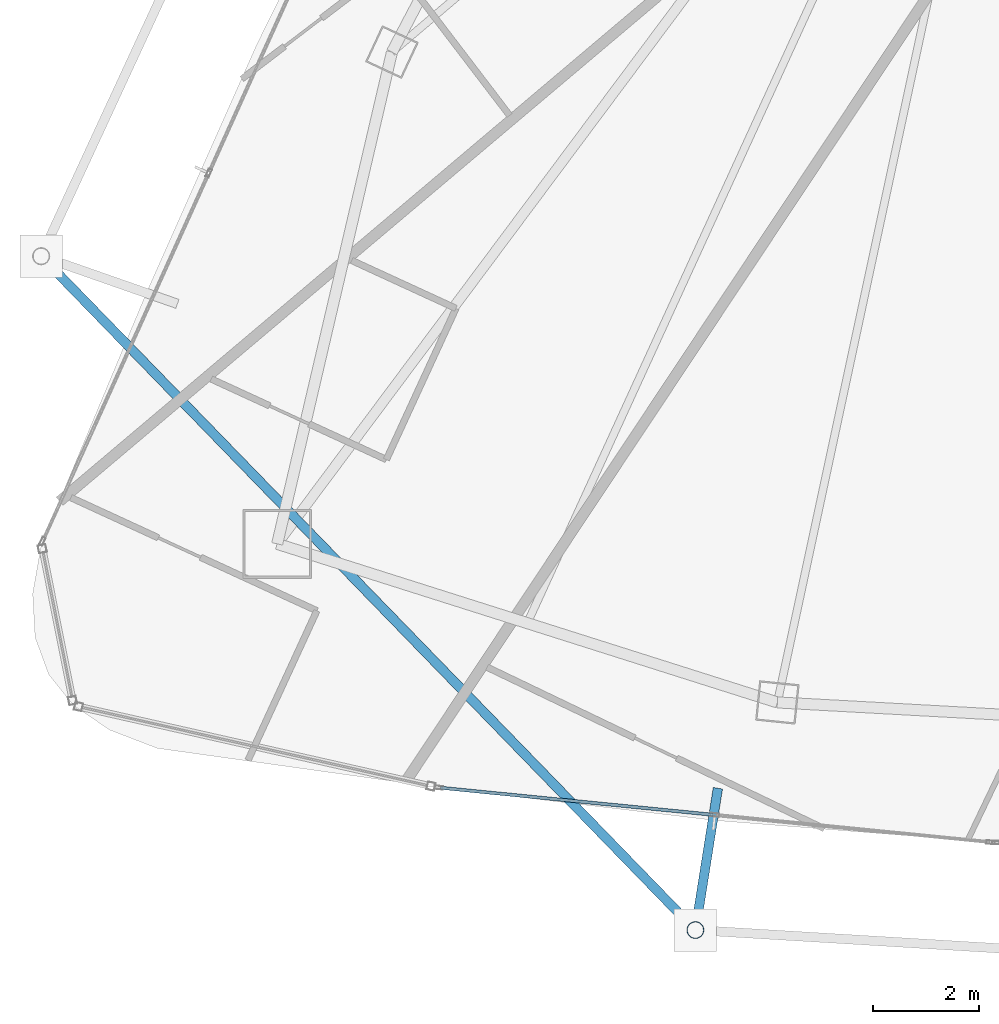
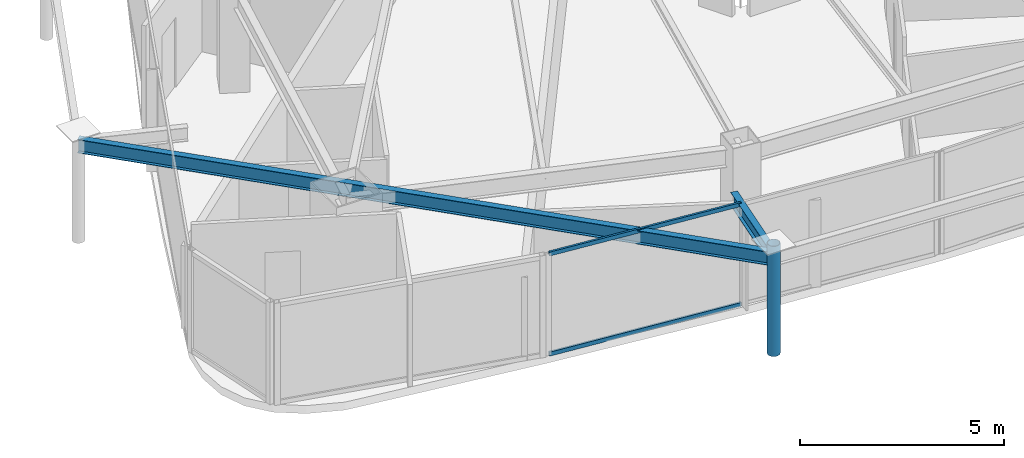
# One storey, part 3 of 33: 3 members, 2 beams, 1 element without a shape of its own.
"""IFC4 building model written with IfcOpenShell, lengths in metres."""

from ifc_helpers import new_model, si_unit, direction, frame, origin, origin_2d, place, context, subcontext, project, spatial, hollow_rectangle, hollow_circle, i_section, extrude, material, layer, layer_set, material_profile, profile_set, type_object, element, aggregate, save


model = new_model("IFC4")

# Units and contexts
model_context = context("Model", 3, precision=1e-05, world=origin(), true_north=direction((0.0, 1.0)))
body_context = subcontext(model_context, "Body", "Model", "MODEL_VIEW")
ifc_project = project(units=[si_unit("LENGTHUNIT", "METRE"), si_unit("AREAUNIT", "SQUARE_METRE"), si_unit("VOLUMEUNIT", "CUBIC_METRE"), si_unit("PLANEANGLEUNIT", "RADIAN"), si_unit("MASSUNIT", "GRAM", prefix="KILO")], contexts=[model_context])

# Site, building, storey
site_placement = place(None, origin())
site = spatial("IfcSite", under=ifc_project, at=site_placement, CompositionType="ELEMENT")
building_placement = place(site_placement, origin())
building = spatial("IfcBuilding", under=site, at=building_placement, Name="Orvanel Arch Residences", CompositionType="ELEMENT")
storey_placement = place(building_placement, frame((0.0, 0.0, 212.89990234375)))
storey = spatial("IfcBuildingStorey", under=building, at=storey_placement, Name="L60", CompositionType="ELEMENT", Elevation=212.89990234375)

# Beams
ifc_material_1 = material(Name="Structural steel AS/NZS 3679.1 Grade 300 (300 MPa)", Category="steel")
ifc_material_profile_1 = material_profile(ifc_material_1, i_section(OverallWidth=0.177978515625, OverallDepth=0.406005859375, WebThickness=0.0078125, FlangeThickness=0.0126953125, at=origin_2d()), Name="410UB59.7")
ifc_profile_set_1 = profile_set([ifc_material_profile_1], Name="Structural steel AS/NZS 3679.1 Grade 300 (300 MPa)")
beam_type = type_object("IfcBeamType", Name="OB-410UB-EXT", PredefinedType="SPANDREL", material=ifc_profile_set_1)
beam_1_placement = place(storey_placement, frame((9.739990234375, 15.784912109375, 2.857177734375), z_axis=(0.696579558645, -0.717479559624, 0.0), x_axis=(0.717479559624, 0.696579558645, 0.0)))
element("IfcBeam", 1, at=beam_1_placement, inside=storey, type_object=beam_type, Name="L60 Outer Perimeter Floor Ring Beam 04", PredefinedType="SPANDREL", context=body_context, shape_type="SweptSolid", body=[
    extrude(i_section(OverallWidth=0.177978515625, OverallDepth=0.406005859375, WebThickness=0.0078125, FlangeThickness=0.0126953125, at=origin_2d()), origin(), (0.0, 0.0, 1.0), 17.743896484375),
])
beam_2_placement = place(storey_placement, frame((22.52490234375, 5.73388671875, 2.857177734375), z_axis=(-0.156558576566, -0.987668675267, 0.0), x_axis=(0.987668675267, -0.156558576566, 0.0)))
element("IfcBeam", 2, at=beam_2_placement, inside=storey, type_object=beam_type, Name="L60 Outer Frame Radial Tie Beam 05", PredefinedType="SPANDREL", context=body_context, shape_type="SweptSolid", body=[
    extrude(i_section(OverallWidth=0.177978515625, OverallDepth=0.406005859375, WebThickness=0.0078125, FlangeThickness=0.0126953125, at=origin_2d()), origin(), (0.0, 0.0, 1.0), 2.71337890625),
])

# Member
ifc_material_2 = material(Name="Structural steel AS/NZS 1163 C350L0 (Grade 350)", Category="steel")
ifc_material_profile_2 = material_profile(ifc_material_2, hollow_circle(Radius=0.162109375, WallThickness=0.0126953125, at=origin_2d()), Name="CHS324x12.7")
ifc_profile_set_2 = profile_set([ifc_material_profile_2], Name="Structural steel AS/NZS 1163 C350L0 (Grade 350)")
member_type_1 = type_object("IfcMemberType", Name="ST-324CHS-EXT", PredefinedType="STRUT", material=ifc_profile_set_2)
member_1_placement = place(storey_placement, frame((22.10009765625, 3.053955078125, 0.0), z_axis=(0.0, 0.0, 1.0), x_axis=(1.0, 0.0, 0.0)))
element("IfcMember", 3, at=member_1_placement, inside=storey, type_object=member_type_1, Name="L60 Outer Perimeter Frame Post 05", PredefinedType="STRUT", context=body_context, shape_type="SweptSolid", body=[
    extrude(hollow_circle(Radius=0.162109375, WallThickness=0.0126953125, at=origin_2d()), origin(), (0.0, 0.0, 1.0), 3.300048828125),
])

# Curtain wall, members
ifc_material_3 = material(Name="Bronze-anodised aluminium AA6063-T6", Category="aluminium")
ifc_layer = layer(ifc_material_3, 0.175048828125)
ifc_layer_set = layer_set([ifc_layer], Name="Bronze-anodised aluminium AA6063-T6")
curtain_wall_type = type_object("IfcCurtainWallType", Name="CW4-HI-SYS", PredefinedType="NOTDEFINED", material=ifc_layer_set)
curtain_wall_placement = place(storey_placement, origin())
curtain_wall = element("IfcCurtainWall", 4, at=curtain_wall_placement, inside=storey, type_object=curtain_wall_type, Name="L60 CW4-HI-SYS Unitised Curtain Wall", PredefinedType="NOTDEFINED")
ifc_material_profile_3 = material_profile(ifc_material_3, hollow_rectangle(XDim=0.06005859375, YDim=0.1201171875, WallThickness=0.00341796875, at=origin_2d()), Name="ALU120x60x3.5")
ifc_profile_set_3 = profile_set([ifc_material_profile_3], Name="Bronze-anodised aluminium AA6063-T6")
member_type_2 = type_object("IfcMemberType", Name="TRN-120x60", PredefinedType="USERDEFINED", material=ifc_profile_set_3)
member_2_placement = place(storey_placement, frame((17.28369140625, 5.74267578125, 0.030029296875), z_axis=(0.995122762776, -0.098644244665, 0.0), x_axis=(0.098644244665, 0.995122762776, 0.0)))
member_2 = element("IfcMember", 5, at=member_2_placement, type_object=member_type_2, Name="CW-S4 transom 1.1", ObjectType="TRANSOM", PredefinedType="USERDEFINED", context=body_context, shape_type="SweptSolid", body=[
    extrude(hollow_rectangle(XDim=0.06005859375, YDim=0.1201171875, WallThickness=0.00341796875, at=origin_2d()), origin(), (0.0, 0.0, 1.0), 5.175048828125),
])
member_3_placement = place(storey_placement, frame((17.28369140625, 5.74267578125, 3.030029296875), z_axis=(0.995122762776, -0.098644244665, 0.0), x_axis=(0.098644244665, 0.995122762776, 0.0)))
member_3 = element("IfcMember", 6, at=member_3_placement, type_object=member_type_2, Name="CW-S4 transom 1.2", ObjectType="TRANSOM", PredefinedType="USERDEFINED", context=body_context, shape_type="SweptSolid", body=[
    extrude(hollow_rectangle(XDim=0.06005859375, YDim=0.1201171875, WallThickness=0.00341796875, at=origin_2d()), origin(), (0.0, 0.0, 1.0), 5.175048828125),
])
aggregate(curtain_wall, [member_2, member_3])

save(model, "model.ifc")
